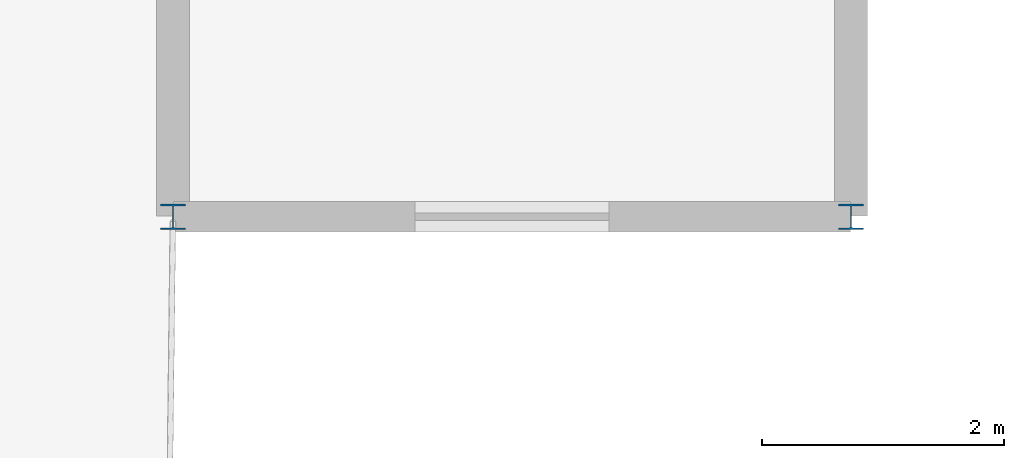
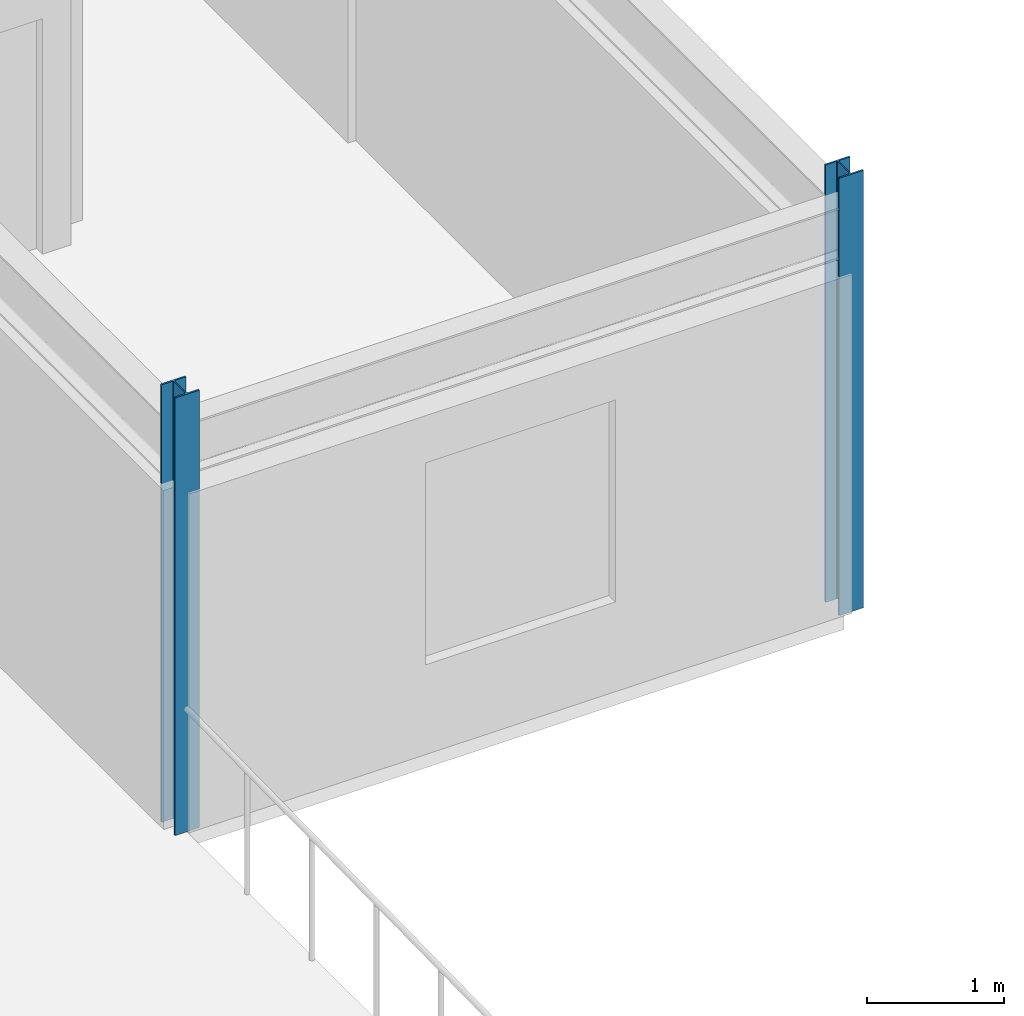
# One storey, part 2 of 49: 2 columns.
"""IFC4 building model written with IfcOpenShell, lengths in metres."""

from ifc_helpers import new_model, si_unit, direction, frame, origin, origin_2d, place, context, subcontext, project, spatial, i_section, extrude, material, material_profile, profile_set, type_object, element, save


model = new_model("IFC4")

# Units and contexts
model_context = context("Model", 3, precision=1e-05, world=origin(), true_north=direction((0.0, 1.0)))
body_context = subcontext(model_context, "Body", "Model", "MODEL_VIEW")
ifc_project = project(units=[si_unit("LENGTHUNIT", "METRE"), si_unit("AREAUNIT", "SQUARE_METRE"), si_unit("VOLUMEUNIT", "CUBIC_METRE"), si_unit("PLANEANGLEUNIT", "RADIAN"), si_unit("MASSUNIT", "GRAM", prefix="KILO")], contexts=[model_context])

# Site, building, storey
site_placement = place(None, origin())
site = spatial("IfcSite", under=ifc_project, at=site_placement, CompositionType="ELEMENT")
building_placement = place(site_placement, origin())
building = spatial("IfcBuilding", under=site, at=building_placement, Name="Trelmorton Wharf Fire Station", CompositionType="ELEMENT")
storey_placement = place(building_placement, frame((0.0, 0.0, 9.60009765625)))
storey = spatial("IfcBuildingStorey", under=building, at=storey_placement, Name="L02", CompositionType="ELEMENT", Elevation=9.60009765625)

# Columns
ifc_material = material(Name="Steel Grade 350", Category="steel")
ifc_material_profile = material_profile(ifc_material, i_section(OverallWidth=0.205078125, OverallDepth=0.2099609375, WebThickness=0.00927734375, FlangeThickness=0.01416015625, FilletRadius=0.011474609375, at=origin_2d()), Name="200UC59.5")
ifc_profile_set = profile_set([ifc_material_profile], Name="Steel Grade 350")
column_type = type_object("IfcColumnType", Name="COL_200UC60", PredefinedType="COLUMN", material=ifc_profile_set)
for number, where, z_axis, x_axis, name in (
    (1, (17.60009765625, 67.199951171875, 0.0), (0.0, 0.0, 1.0), (1.0, 0.0, 0.0), "COL-L02-0461"),
    (2, (23.199951171875, 67.199951171875, 0.0), (0.0, 0.0, 1.0), (1.0, 0.0, 0.0), "COL-L02-0464"),
):
    element("IfcColumn", number, at=place(storey_placement, frame(where, z_axis=z_axis, x_axis=x_axis)), inside=storey, type_object=column_type, Name=name, PredefinedType="COLUMN", context=body_context, shape_type="SweptSolid", body=[
        extrude(i_section(OverallWidth=0.205078125, OverallDepth=0.2099609375, WebThickness=0.00927734375, FlangeThickness=0.01416015625, FilletRadius=0.011474609375, at=origin_2d()), origin(), (0.0, 0.0, 1.0), 3.89990234375),
    ])

save(model, "model.ifc")
